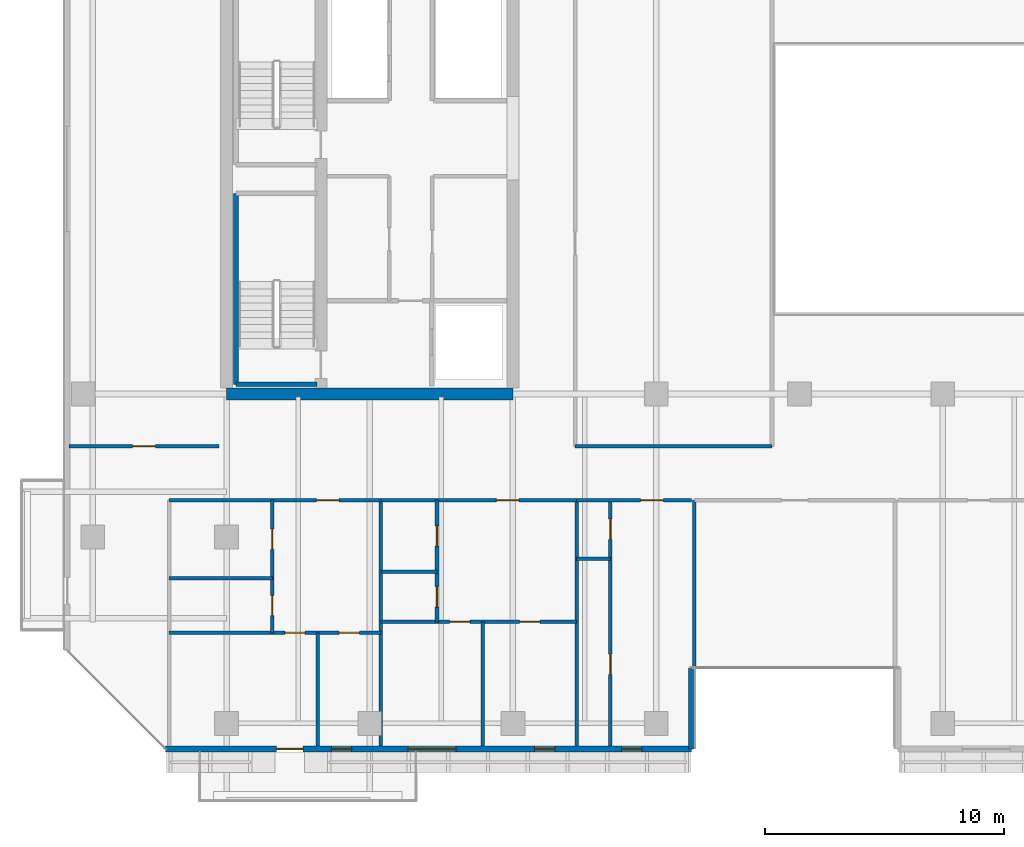
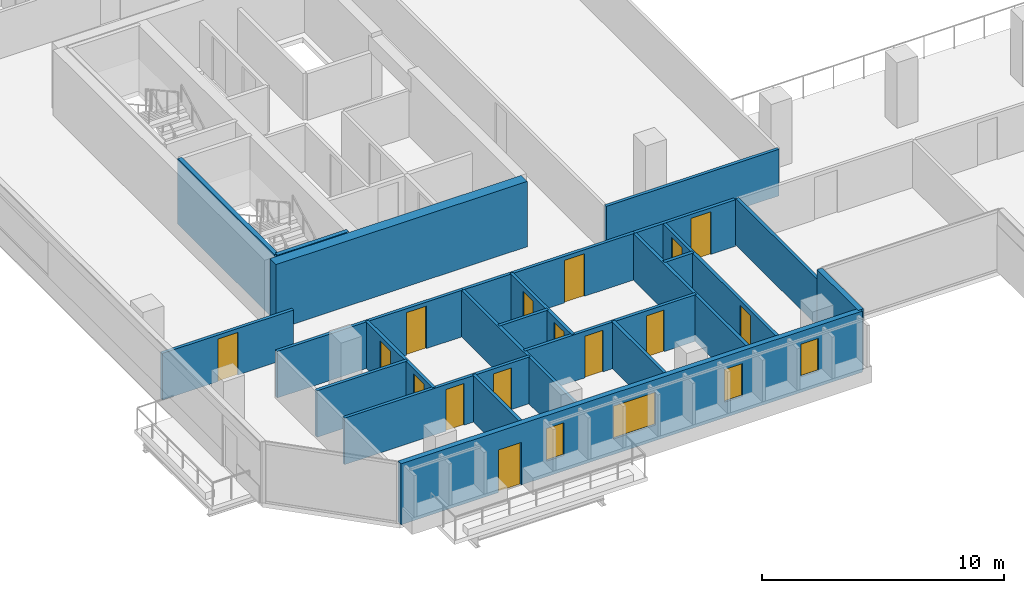
# One storey, part 21 of 33: 23 walls, 15 doors, 4 windows, 19 openings.
"""IFC4 building model written with IfcOpenShell, lengths in metres."""

from ifc_helpers import new_model, si_unit, direction, frame, frame_2d, origin, place, context, subcontext, project, spatial, rectangle, extrude, material, layer, layer_set, type_object, element, fill, save


model = new_model("IFC4")

# Units and contexts
model_context = context("Model", 3, precision=1e-05, world=origin(), true_north=direction((0.0, 1.0)))
body_context = subcontext(model_context, "Body", "Model", "MODEL_VIEW")
ifc_project = project(units=[si_unit("LENGTHUNIT", "METRE"), si_unit("AREAUNIT", "SQUARE_METRE"), si_unit("VOLUMEUNIT", "CUBIC_METRE"), si_unit("PLANEANGLEUNIT", "RADIAN"), si_unit("MASSUNIT", "GRAM", prefix="KILO")], contexts=[model_context])

# Site, building, storey
site_placement = place(None, origin())
site = spatial("IfcSite", under=ifc_project, at=site_placement, CompositionType="ELEMENT")
building_placement = place(site_placement, origin())
building = spatial("IfcBuilding", under=site, at=building_placement, Name="Tanjung Sevakor Pilgrim Tower", CompositionType="ELEMENT")
storey_placement = place(building_placement, frame((0.0, 0.0, 95.3701171875)))
storey = spatial("IfcBuildingStorey", under=building, at=storey_placement, Name="L26", CompositionType="ELEMENT", Elevation=95.3701171875)

# Walls
ifc_material_1 = material(Name="Concrete C60/75", Category="concrete")
ifc_layer_1 = layer(ifc_material_1, 0.5)
ifc_layer_set_1 = layer_set([ifc_layer_1], Name="WALL-CW-500")
wall_type_1 = type_object("IfcWallType", Name="WALL-CW-500", PredefinedType="SHEAR", material=ifc_layer_set_1)
wall_1_placement = place(storey_placement, frame((24.0, 24.60009765625, 0.0), z_axis=(0.0, 0.0, 1.0), x_axis=(1.0, 0.0, 0.0)))
element("IfcWall", 1, at=wall_1_placement, inside=storey, type_object=wall_type_1, Name="L26 W Core South Shear Wall", PredefinedType="SHEAR", context=body_context, shape_type="SweptSolid", body=[
    extrude(rectangle(XDim=12.0, YDim=0.5, at=frame_2d((6.0, 0.0))), origin(), (0.0, 0.0, 1.0), 3.2998046875),
])
ifc_material_2 = material(Name="Concrete C40/50", Category="concrete")
ifc_layer_2 = layer(ifc_material_2, 0.14990234375)
ifc_layer_set_2 = layer_set([ifc_layer_2], Name="WT-COMP-150")
wall_type_2 = type_object("IfcWallType", Name="WT-COMP-150", PredefinedType="SOLIDWALL", material=ifc_layer_set_2)
wall_2_placement = place(storey_placement, frame((38.60009765625, 22.39990234375, 0.0), z_axis=(0.0, 0.0, 1.0), x_axis=(1.0, 0.0, 0.0)))
element("IfcWall", 2, at=wall_2_placement, inside=storey, type_object=wall_type_2, Name="L26 Partition IW-L26-021", PredefinedType="SOLIDWALL", context=body_context, shape_type="SweptSolid", body=[
    extrude(rectangle(XDim=8.25, YDim=0.14990234375, at=frame_2d((4.125, 0.0))), origin(), (0.0, 0.0, 1.0), 2.35009765625),
])

# Wall, opening, door
wall_3_placement = place(storey_placement, frame((17.409912109375, 22.39990234375, 0.0), z_axis=(0.0, 0.0, 1.0), x_axis=(1.0, 0.0, 0.0)))
wall_3 = element("IfcWall", 3, at=wall_3_placement, inside=storey, type_object=wall_type_2, Name="L26 Partition IW-L26-029", PredefinedType="SOLIDWALL", context=body_context, shape_type="SweptSolid", body=[
    extrude(rectangle(XDim=6.27001953125, YDim=0.14990234375, at=frame_2d((3.135009765625, 0.0))), origin(), (0.0, 0.0, 1.0), 2.35009765625),
])
opening_1_placement = place(wall_3_placement, frame((2.659912109375, 0.0, 0.0)))
opening_1 = element("IfcOpeningElement", 4, at=opening_1_placement, cuts=wall_3, Name="Opening ID-FD2", PredefinedType="OPENING", context=body_context, shape_type="SweptSolid", body=[
    extrude(rectangle(XDim=0.949951171875, YDim=2.14990234375, at=frame_2d((0.47509765625, 1.074951171875))), frame((0.0, 0.0849609375, 0.0), z_axis=(0.0, -1.0, 0.0), x_axis=(1.0, 0.0, 0.0)), (0.0, 0.0, 1.0), 0.169921875),
])
ifc_material_3 = material(Name="Fire-Rated Timber", Category="wood")
door_type_1 = type_object("IfcDoorType", Name="DT-FIRE-950", OperationType="NOTDEFINED", PredefinedType="DOOR", material=ifc_material_3)
door_1_placement = place(opening_1_placement, origin())
door_1 = element("IfcDoor", 5, at=door_1_placement, inside=storey, type_object=door_type_1, Name="Study Room Entrance", OperationType="SINGLE_SWING_RIGHT", OverallHeight=2.14990234375, OverallWidth=0.949951171875, PredefinedType="DOOR", context=body_context, shape_type="SweptSolid", body=[
    extrude(rectangle(XDim=0.949951171875, YDim=2.14990234375, at=frame_2d((0.47509765625, 1.074951171875))), frame((0.0, 0.02490234375, 0.0), z_axis=(0.0, -1.0, 0.0), x_axis=(1.0, 0.0, 0.0)), (0.0, 0.0, 1.0), 0.050048828125),
])
fill(opening_1, door_1)

# Walls
for number, where, z_axis, x_axis, name in (
    (6, (43.60009765625, 9.85009765625, 0.0), (0.0, 0.0, 1.0), (0.0, 1.0, 0.0), "L26 Partition IW-L26-038"),
    (7, (30.468017578125, 9.85009765625, 0.0), (0.0, 0.0, 1.0), (0.0, 1.0, 0.0), "L26 Partition IW-L26-044"),
):
    element("IfcWall", number, at=place(storey_placement, frame(where, z_axis=z_axis, x_axis=x_axis)), inside=storey, type_object=wall_type_2, Name=name, PredefinedType="SOLIDWALL", context=body_context, shape_type="SweptSolid", body=[
        extrude(rectangle(XDim=10.2998046875, YDim=0.14990234375, at=frame_2d((5.14990234375, 0.0))), origin(), (0.0, 0.0, 1.0), 2.35009765625),
    ])

# Wall, opening, door
wall_4_placement = place(storey_placement, frame((21.60009765625, 20.14990234375, 0.0), z_axis=(0.0, 0.0, 1.0), x_axis=(1.0, 0.0, 0.0)))
wall_4 = element("IfcWall", 8, at=wall_4_placement, inside=storey, type_object=wall_type_2, Name="L26 Partition IW-L26-049", PredefinedType="SOLIDWALL", context=body_context, shape_type="SweptSolid", body=[
    extrude(rectangle(XDim=8.867919921875, YDim=0.14990234375, at=frame_2d((4.43408203125, 0.0))), origin(), (0.0, 0.0, 1.0), 2.35009765625),
])
opening_2_placement = place(wall_4_placement, frame((6.158935546875, 0.0, 0.0)))
opening_2 = element("IfcOpeningElement", 9, at=opening_2_placement, cuts=wall_4, Name="Opening ID-FD2", PredefinedType="OPENING", context=body_context, shape_type="SweptSolid", body=[
    extrude(rectangle(XDim=0.949951171875, YDim=2.14990234375, at=frame_2d((0.47509765625, 1.074951171875))), frame((0.0, 0.0849609375, 0.0), z_axis=(0.0, -1.0, 0.0), x_axis=(1.0, 0.0, 0.0)), (0.0, 0.0, 1.0), 0.169921875),
])
door_2_placement = place(opening_2_placement, origin())
door_2 = element("IfcDoor", 10, at=door_2_placement, inside=storey, type_object=door_type_1, Name="Suite Entrance", OperationType="SINGLE_SWING_RIGHT", OverallHeight=2.14990234375, OverallWidth=0.949951171875, PredefinedType="DOOR", context=body_context, shape_type="SweptSolid", body=[
    extrude(rectangle(XDim=0.949951171875, YDim=2.14990234375, at=frame_2d((0.47509765625, 1.074951171875))), frame((0.0, 0.02490234375, 0.0), z_axis=(0.0, -1.0, 0.0), x_axis=(1.0, 0.0, 0.0)), (0.0, 0.0, 1.0), 0.050048828125),
])
fill(opening_2, door_2)

# Wall
wall_5_placement = place(storey_placement, frame((38.667236328125, 9.85009765625, 0.0), z_axis=(0.0, 0.0, 1.0), x_axis=(0.0, 1.0, 0.0)))
element("IfcWall", 11, at=wall_5_placement, inside=storey, type_object=wall_type_2, Name="L26 Partition IW-L26-050", PredefinedType="SOLIDWALL", context=body_context, shape_type="SweptSolid", body=[
    extrude(rectangle(XDim=10.2998046875, YDim=0.14990234375, at=frame_2d((5.14990234375, 0.0))), origin(), (0.0, 0.0, 1.0), 2.35009765625),
])

# Wall, opening, door
wall_6_placement = place(storey_placement, frame((30.468017578125, 20.14990234375, 0.0), z_axis=(0.0, 0.0, 1.0), x_axis=(1.0, 0.0, 0.0)))
wall_6 = element("IfcWall", 12, at=wall_6_placement, inside=storey, type_object=wall_type_2, Name="L26 Partition IW-L26-055", PredefinedType="SOLIDWALL", context=body_context, shape_type="SweptSolid", body=[
    extrude(rectangle(XDim=8.19921875, YDim=0.14990234375, at=frame_2d((4.099609375, 0.0))), origin(), (0.0, 0.0, 1.0), 2.35009765625),
])
opening_3_placement = place(wall_6_placement, frame((4.839599609375, 0.0, 0.0)))
opening_3 = element("IfcOpeningElement", 13, at=opening_3_placement, cuts=wall_6, Name="Opening ID-FD2", PredefinedType="OPENING", context=body_context, shape_type="SweptSolid", body=[
    extrude(rectangle(XDim=0.949951171875, YDim=2.14990234375, at=frame_2d((0.47509765625, 1.074951171875))), frame((0.0, 0.0849609375, 0.0), z_axis=(0.0, -1.0, 0.0), x_axis=(1.0, 0.0, 0.0)), (0.0, 0.0, 1.0), 0.169921875),
])
door_3_placement = place(opening_3_placement, origin())
door_3 = element("IfcDoor", 14, at=door_3_placement, inside=storey, type_object=door_type_1, Name="Suite Entrance", OperationType="SINGLE_SWING_LEFT", OverallHeight=2.14990234375, OverallWidth=0.949951171875, PredefinedType="DOOR", context=body_context, shape_type="SweptSolid", body=[
    extrude(rectangle(XDim=0.949951171875, YDim=2.14990234375, at=frame_2d((0.47509765625, 1.074951171875))), frame((0.0, 0.02490234375, 0.0), z_axis=(0.0, -1.0, 0.0), x_axis=(1.0, 0.0, 0.0)), (0.0, 0.0, 1.0), 0.050048828125),
])
fill(opening_3, door_3)

wall_7_placement = place(storey_placement, frame((38.667236328125, 20.14990234375, 0.0), z_axis=(0.0, 0.0, 1.0), x_axis=(1.0, 0.0, 0.0)))
wall_7 = element("IfcWall", 15, at=wall_7_placement, inside=storey, type_object=wall_type_2, Name="L26 Partition IW-L26-058", PredefinedType="SOLIDWALL", context=body_context, shape_type="SweptSolid", body=[
    extrude(rectangle(XDim=4.812744140625, YDim=0.14990234375, at=frame_2d((2.40625, 0.0))), origin(), (0.0, 0.0, 1.0), 2.35009765625),
])
opening_4_placement = place(wall_7_placement, frame((2.677734375, 0.0, 0.0)))
opening_4 = element("IfcOpeningElement", 16, at=opening_4_placement, cuts=wall_7, Name="Opening ID-FD2", PredefinedType="OPENING", context=body_context, shape_type="SweptSolid", body=[
    extrude(rectangle(XDim=0.949951171875, YDim=2.14990234375, at=frame_2d((0.47509765625, 1.074951171875))), frame((0.0, 0.0849609375, 0.0), z_axis=(0.0, -1.0, 0.0), x_axis=(1.0, 0.0, 0.0)), (0.0, 0.0, 1.0), 0.169921875),
])
door_4_placement = place(opening_4_placement, origin())
door_4 = element("IfcDoor", 17, at=door_4_placement, inside=storey, type_object=door_type_1, Name="Hotel Guestroom Entrance", OperationType="SINGLE_SWING_RIGHT", OverallHeight=2.14990234375, OverallWidth=0.949951171875, PredefinedType="DOOR", context=body_context, shape_type="SweptSolid", body=[
    extrude(rectangle(XDim=0.949951171875, YDim=2.14990234375, at=frame_2d((0.47509765625, 1.074951171875))), frame((0.0, 0.02490234375, 0.0), z_axis=(0.0, -1.0, 0.0), x_axis=(1.0, 0.0, 0.0)), (0.0, 0.0, 1.0), 0.050048828125),
])
fill(opening_4, door_4)

# Wall, openings, door, windows
ifc_material_4 = material(Name="Precast concrete C45/55", Category="concrete")
ifc_layer_3 = layer(ifc_material_4, 0.25)
ifc_layer_set_3 = layer_set([ifc_layer_3], Name="WT-EW-STN3")
wall_type_3 = type_object("IfcWallType", Name="WT-EW-STN3", PredefinedType="SOLIDWALL", material=ifc_layer_set_3)
wall_8_placement = place(storey_placement, frame((21.451904296875, 9.72509765625, 0.0), z_axis=(0.0, 0.0, 1.0), x_axis=(1.0, 0.0, 0.0)))
wall_8 = element("IfcWall", 18, at=wall_8_placement, inside=storey, type_object=wall_type_3, Name="L26 MAIN Exterior Wall 1", PredefinedType="SOLIDWALL", context=body_context, shape_type="SweptSolid", body=[
    extrude(rectangle(XDim=22.023193359375, YDim=0.25, at=frame_2d((11.01171875, 0.0))), origin(), (0.0, 0.0, 1.0), 3.080078125),
])
opening_5_placement = place(wall_8_placement, frame((4.648193359375, 0.0, 0.0)))
opening_5 = element("IfcOpeningElement", 19, at=opening_5_placement, cuts=wall_8, Name="Opening ED-BAL-1100", PredefinedType="OPENING", context=body_context, shape_type="SweptSolid", body=[
    extrude(rectangle(XDim=1.10009765625, YDim=2.14990234375, at=frame_2d((0.550048828125, 1.074951171875))), frame((0.0, 0.135009765625, 0.0), z_axis=(0.0, -1.0, 0.0), x_axis=(1.0, 0.0, 0.0)), (0.0, 0.0, 1.0), 0.27001953125),
])
opening_6_placement = place(wall_8_placement, frame((6.93701171875, 0.0, 0.780029296875)))
opening_6 = element("IfcOpeningElement", 20, at=opening_6_placement, cuts=wall_8, Name="Opening WN-SLM", PredefinedType="OPENING", context=body_context, shape_type="SweptSolid", body=[
    extrude(rectangle(XDim=0.85009765625, YDim=1.64990234375, at=frame_2d((0.425048828125, 0.824951171875))), frame((0.0, 0.135009765625, 0.0), z_axis=(0.0, -1.0, 0.0), x_axis=(1.0, 0.0, 0.0)), (0.0, 0.0, 1.0), 0.27001953125),
])
opening_7_placement = place(wall_8_placement, frame((10.157958984375, 0.0, 0.780029296875)))
opening_7 = element("IfcOpeningElement", 21, at=opening_7_placement, cuts=wall_8, Name="Opening WN-Z2-1660", PredefinedType="OPENING", context=body_context, shape_type="SweptSolid", body=[
    extrude(rectangle(XDim=2.0, YDim=1.659912109375, at=frame_2d((1.0, 0.830078125))), frame((0.0, 0.135009765625, 0.0), z_axis=(0.0, -1.0, 0.0), x_axis=(1.0, 0.0, 0.0)), (0.0, 0.0, 1.0), 0.27001953125),
])
opening_8_placement = place(wall_8_placement, frame((15.45263671875, 0.0, 0.780029296875)))
opening_8 = element("IfcOpeningElement", 22, at=opening_8_placement, cuts=wall_8, Name="Opening WN-SLM", PredefinedType="OPENING", context=body_context, shape_type="SweptSolid", body=[
    extrude(rectangle(XDim=0.85009765625, YDim=1.64990234375, at=frame_2d((0.425048828125, 0.824951171875))), frame((0.0, 0.135009765625, 0.0), z_axis=(0.0, -1.0, 0.0), x_axis=(1.0, 0.0, 0.0)), (0.0, 0.0, 1.0), 0.27001953125),
])
opening_9_placement = place(wall_8_placement, frame((19.09326171875, 0.0, 0.780029296875)))
opening_9 = element("IfcOpeningElement", 23, at=opening_9_placement, cuts=wall_8, Name="Opening WN-SLM", PredefinedType="OPENING", context=body_context, shape_type="SweptSolid", body=[
    extrude(rectangle(XDim=0.85009765625, YDim=1.64990234375, at=frame_2d((0.425048828125, 0.824951171875))), frame((0.0, 0.135009765625, 0.0), z_axis=(0.0, -1.0, 0.0), x_axis=(1.0, 0.0, 0.0)), (0.0, 0.0, 1.0), 0.27001953125),
])
ifc_material_5 = material(Name="Anodised Aluminium and Laminated Glass", Category="aluminium")
door_type_2 = type_object("IfcDoorType", Name="DTYP-ED-BAL-1100", OperationType="NOTDEFINED", PredefinedType="DOOR", material=ifc_material_5)
door_5_placement = place(opening_5_placement, frame((1.10009765625, 0.0, 0.0), z_axis=(0.0, 0.0, 1.0), x_axis=(-1.0, 0.0, 0.0)))
door_5 = element("IfcDoor", 24, at=door_5_placement, inside=storey, type_object=door_type_2, Name="L26 Balcony Door MAIN-S1", OperationType="SINGLE_SWING_RIGHT", OverallHeight=2.14990234375, OverallWidth=1.10009765625, PredefinedType="DOOR", context=body_context, shape_type="SweptSolid", body=[
    extrude(rectangle(XDim=1.10009765625, YDim=2.14990234375, at=frame_2d((0.550048828125, 1.074951171875))), frame((0.0, 0.02490234375, 0.0), z_axis=(0.0, -1.0, 0.0), x_axis=(1.0, 0.0, 0.0)), (0.0, 0.0, 1.0), 0.050048828125),
])
fill(opening_5, door_5)
ifc_material_6 = material(Name="Thermally Broken Aluminium and Low-E Glass", Category="aluminium")
window_type_1 = type_object("IfcWindowType", Name="WTYP-WN-SLM", PartitioningType="SINGLE_PANEL", PredefinedType="WINDOW", material=ifc_material_6)
window_1_placement = place(opening_6_placement, origin())
window_1 = element("IfcWindow", 25, at=window_1_placement, inside=storey, type_object=window_type_1, Name="L26 Facade Window 01", OverallHeight=1.64990234375, OverallWidth=0.85009765625, PartitioningType="SINGLE_PANEL", PredefinedType="WINDOW", context=body_context, shape_type="SweptSolid", body=[
    extrude(rectangle(XDim=0.85009765625, YDim=1.64990234375, at=frame_2d((0.425048828125, 0.824951171875))), frame((0.0, 0.030029296875, 0.0), z_axis=(0.0, -1.0, 0.0), x_axis=(1.0, 0.0, 0.0)), (0.0, 0.0, 1.0), 0.06005859375),
])
fill(opening_6, window_1)
window_2_placement = place(opening_8_placement, origin())
window_2 = element("IfcWindow", 26, at=window_2_placement, inside=storey, type_object=window_type_1, Name="L26 Facade Window 03", OverallHeight=1.64990234375, OverallWidth=0.85009765625, PartitioningType="SINGLE_PANEL", PredefinedType="WINDOW", context=body_context, shape_type="SweptSolid", body=[
    extrude(rectangle(XDim=0.85009765625, YDim=1.64990234375, at=frame_2d((0.425048828125, 0.824951171875))), frame((0.0, 0.030029296875, 0.0), z_axis=(0.0, -1.0, 0.0), x_axis=(1.0, 0.0, 0.0)), (0.0, 0.0, 1.0), 0.06005859375),
])
fill(opening_8, window_2)
window_3_placement = place(opening_9_placement, origin())
window_3 = element("IfcWindow", 27, at=window_3_placement, inside=storey, type_object=window_type_1, Name="L26 Facade Window 04", OverallHeight=1.64990234375, OverallWidth=0.85009765625, PartitioningType="SINGLE_PANEL", PredefinedType="WINDOW", context=body_context, shape_type="SweptSolid", body=[
    extrude(rectangle(XDim=0.85009765625, YDim=1.64990234375, at=frame_2d((0.425048828125, 0.824951171875))), frame((0.0, 0.030029296875, 0.0), z_axis=(0.0, -1.0, 0.0), x_axis=(1.0, 0.0, 0.0)), (0.0, 0.0, 1.0), 0.06005859375),
])
fill(opening_9, window_3)
ifc_material_7 = material(Name="Thermally Broken Aluminium and Low-E Glass", Category="aluminium")
window_type_2 = type_object("IfcWindowType", Name="WTYP-WN-Z2-1660", PartitioningType="DOUBLE_PANEL_VERTICAL", PredefinedType="WINDOW", material=ifc_material_7)
window_4_placement = place(opening_7_placement, origin())
window_4 = element("IfcWindow", 28, at=window_4_placement, inside=storey, type_object=window_type_2, Name="L26 Facade Window 02", OverallHeight=1.659912109375, OverallWidth=2.0, PartitioningType="SINGLE_PANEL", PredefinedType="WINDOW", context=body_context, shape_type="SweptSolid", body=[
    extrude(rectangle(XDim=2.0, YDim=1.659912109375, at=frame_2d((1.0, 0.830078125))), frame((0.0, 0.030029296875, 0.0), z_axis=(0.0, -1.0, 0.0), x_axis=(1.0, 0.0, 0.0)), (0.0, 0.0, 1.0), 0.06005859375),
])
fill(opening_7, window_4)

# Walls
wall_9_placement = place(storey_placement, frame((43.47509765625, 9.72509765625, 0.0), z_axis=(0.0, 0.0, 1.0), x_axis=(0.0, 1.0, 0.0)))
element("IfcWall", 29, at=wall_9_placement, inside=storey, type_object=wall_type_3, Name="L26 MAIN Exterior Wall 2", PredefinedType="SOLIDWALL", context=body_context, shape_type="SweptSolid", body=[
    extrude(rectangle(XDim=3.39990234375, YDim=0.25, at=frame_2d((1.699951171875, 0.0))), origin(), (0.0, 0.0, 1.0), 3.080078125),
])
ifc_material_8 = material(Name="Concrete C40/50", Category="concrete")
ifc_layer_4 = layer(ifc_material_8, 0.199951171875)
ifc_layer_set_4 = layer_set([ifc_layer_4], Name="WT-FIRE-200")
wall_type_4 = type_object("IfcWallType", Name="WT-FIRE-200", PredefinedType="SOLIDWALL", material=ifc_layer_set_4)
wall_10_placement = place(storey_placement, frame((24.39990234375, 25.0, 0.0), z_axis=(0.0, 0.0, 1.0), x_axis=(1.0, 0.0, 0.0)))
element("IfcWall", 30, at=wall_10_placement, inside=storey, type_object=wall_type_4, Name="L26 TS-W1 Shaft Wall 1", PredefinedType="SOLIDWALL", context=body_context, shape_type="SweptSolid", body=[
    extrude(rectangle(XDim=3.400146484375, YDim=0.199951171875, at=frame_2d((1.7001953125, 0.0))), origin(), (0.0, 0.0, 1.0), 3.2998046875),
])
wall_11_placement = place(storey_placement, frame((24.39990234375, 33.0, 0.0), z_axis=(0.0, 0.0, 1.0), x_axis=(0.0, -1.0, 0.0)))
element("IfcWall", 31, at=wall_11_placement, inside=storey, type_object=wall_type_4, Name="L26 TS-W1 Shaft Wall 3", PredefinedType="SOLIDWALL", context=body_context, shape_type="SweptSolid", body=[
    extrude(rectangle(XDim=8.0, YDim=0.199951171875, at=frame_2d((4.0, 0.0))), origin(), (0.0, 0.0, 1.0), 3.2998046875),
])
ifc_material_9 = material(Name="Gypsum Board Partition", Category="gypsum board")
ifc_layer_5 = layer(ifc_material_9, 0.14990234375)
ifc_layer_set_5 = layer_set([ifc_layer_5], Name="WT-PART-150")
wall_type_5 = type_object("IfcWallType", Name="WT-PART-150", PredefinedType="PARTITIONING", material=ifc_layer_set_5)
wall_12_placement = place(storey_placement, frame((21.60009765625, 16.871337890625, 0.0), z_axis=(0.0, 0.0, 1.0), x_axis=(1.0, 0.0, 0.0)))
element("IfcWall", 32, at=wall_12_placement, inside=storey, type_object=wall_type_5, Name="L26 Partition IW-L26-045", PredefinedType="PARTITIONING", context=body_context, shape_type="SweptSolid", body=[
    extrude(rectangle(XDim=4.31982421875, YDim=0.14990234375, at=frame_2d((2.159912109375, 0.0))), origin(), (0.0, 0.0, 1.0), 2.35009765625),
])

# Wall, openings, doors
wall_13_placement = place(storey_placement, frame((25.919921875, 14.5927734375, 0.0), z_axis=(0.0, 0.0, 1.0), x_axis=(0.0, 1.0, 0.0)))
wall_13 = element("IfcWall", 33, at=wall_13_placement, inside=storey, type_object=wall_type_5, Name="L26 Partition IW-L26-046", PredefinedType="PARTITIONING", context=body_context, shape_type="SweptSolid", body=[
    extrude(rectangle(XDim=5.55712890625, YDim=0.14990234375, at=frame_2d((2.778564453125, 0.0))), origin(), (0.0, 0.0, 1.0), 2.35009765625),
])
opening_10_placement = place(wall_13_placement, frame((0.71435546875, 0.0, 0.0)))
opening_10 = element("IfcOpeningElement", 34, at=opening_10_placement, cuts=wall_13, Name="Opening ID-WC1", PredefinedType="OPENING", context=body_context, shape_type="SweptSolid", body=[
    extrude(rectangle(XDim=0.85009765625, YDim=2.10009765625, at=frame_2d((0.425048828125, 1.050048828125))), frame((0.0, 0.0849609375, 0.0), z_axis=(0.0, -1.0, 0.0), x_axis=(1.0, 0.0, 0.0)), (0.0, 0.0, 1.0), 0.169921875),
])
opening_11_placement = place(wall_13_placement, frame((3.492919921875, 0.0, 0.0)))
opening_11 = element("IfcOpeningElement", 35, at=opening_11_placement, cuts=wall_13, Name="Opening ID-WC1", PredefinedType="OPENING", context=body_context, shape_type="SweptSolid", body=[
    extrude(rectangle(XDim=0.85009765625, YDim=2.10009765625, at=frame_2d((0.425048828125, 1.050048828125))), frame((0.0, 0.0849609375, 0.0), z_axis=(0.0, -1.0, 0.0), x_axis=(1.0, 0.0, 0.0)), (0.0, 0.0, 1.0), 0.169921875),
])
ifc_material_10 = material(Name="Moisture-Resistant Timber", Category="wood")
door_type_3 = type_object("IfcDoorType", Name="DT-INT-850", OperationType="NOTDEFINED", PredefinedType="DOOR", material=ifc_material_10)
door_6_placement = place(opening_10_placement, origin())
door_6 = element("IfcDoor", 36, at=door_6_placement, inside=storey, type_object=door_type_3, Name="Suite Bathroom Door", OperationType="SINGLE_SWING_RIGHT", OverallHeight=2.10009765625, OverallWidth=0.85009765625, PredefinedType="DOOR", context=body_context, shape_type="SweptSolid", body=[
    extrude(rectangle(XDim=0.85009765625, YDim=2.10009765625, at=frame_2d((0.425048828125, 1.050048828125))), frame((0.0, 0.02490234375, 0.0), z_axis=(0.0, -1.0, 0.0), x_axis=(1.0, 0.0, 0.0)), (0.0, 0.0, 1.0), 0.050048828125),
])
fill(opening_10, door_6)
door_7_placement = place(opening_11_placement, origin())
door_7 = element("IfcDoor", 37, at=door_7_placement, inside=storey, type_object=door_type_3, Name="Suite Kitchenette Door", OperationType="SINGLE_SWING_LEFT", OverallHeight=2.10009765625, OverallWidth=0.85009765625, PredefinedType="DOOR", context=body_context, shape_type="SweptSolid", body=[
    extrude(rectangle(XDim=0.85009765625, YDim=2.10009765625, at=frame_2d((0.425048828125, 1.050048828125))), frame((0.0, 0.02490234375, 0.0), z_axis=(0.0, -1.0, 0.0), x_axis=(1.0, 0.0, 0.0)), (0.0, 0.0, 1.0), 0.050048828125),
])
fill(opening_11, door_7)

# Wall
wall_14_placement = place(storey_placement, frame((27.820068359375, 9.85009765625, 0.0), z_axis=(0.0, 0.0, 1.0), x_axis=(0.0, 1.0, 0.0)))
element("IfcWall", 38, at=wall_14_placement, inside=storey, type_object=wall_type_5, Name="L26 Partition IW-L26-047", PredefinedType="PARTITIONING", context=body_context, shape_type="SweptSolid", body=[
    extrude(rectangle(XDim=4.74267578125, YDim=0.14990234375, at=frame_2d((2.371337890625, 0.0))), origin(), (0.0, 0.0, 1.0), 2.35009765625),
])

# Wall, openings, doors
wall_15_placement = place(storey_placement, frame((21.60009765625, 14.5927734375, 0.0), z_axis=(0.0, 0.0, 1.0), x_axis=(1.0, 0.0, 0.0)))
wall_15 = element("IfcWall", 39, at=wall_15_placement, inside=storey, type_object=wall_type_5, Name="L26 Partition IW-L26-048", PredefinedType="PARTITIONING", context=body_context, shape_type="SweptSolid", body=[
    extrude(rectangle(XDim=8.867919921875, YDim=0.14990234375, at=frame_2d((4.43408203125, 0.0))), origin(), (0.0, 0.0, 1.0), 2.35009765625),
])
opening_12_placement = place(wall_15_placement, frame((4.844970703125, 0.0, 0.0)))
opening_12 = element("IfcOpeningElement", 40, at=opening_12_placement, cuts=wall_15, Name="Opening ID-WC1", PredefinedType="OPENING", context=body_context, shape_type="SweptSolid", body=[
    extrude(rectangle(XDim=0.85009765625, YDim=2.10009765625, at=frame_2d((0.425048828125, 1.050048828125))), frame((0.0, 0.0849609375, 0.0), z_axis=(0.0, -1.0, 0.0), x_axis=(1.0, 0.0, 0.0)), (0.0, 0.0, 1.0), 0.169921875),
])
opening_13_placement = place(wall_15_placement, frame((7.118896484375, 0.0, 0.0)))
opening_13 = element("IfcOpeningElement", 41, at=opening_13_placement, cuts=wall_15, Name="Opening ID-WC1", PredefinedType="OPENING", context=body_context, shape_type="SweptSolid", body=[
    extrude(rectangle(XDim=0.85009765625, YDim=2.10009765625, at=frame_2d((0.425048828125, 1.050048828125))), frame((0.0, 0.0849609375, 0.0), z_axis=(0.0, -1.0, 0.0), x_axis=(1.0, 0.0, 0.0)), (0.0, 0.0, 1.0), 0.169921875),
])
door_8_placement = place(opening_12_placement, origin())
door_8 = element("IfcDoor", 42, at=door_8_placement, inside=storey, type_object=door_type_3, Name="Suite Bedroom 1 Door", OperationType="SINGLE_SWING_RIGHT", OverallHeight=2.10009765625, OverallWidth=0.85009765625, PredefinedType="DOOR", context=body_context, shape_type="SweptSolid", body=[
    extrude(rectangle(XDim=0.85009765625, YDim=2.10009765625, at=frame_2d((0.425048828125, 1.050048828125))), frame((0.0, 0.02490234375, 0.0), z_axis=(0.0, -1.0, 0.0), x_axis=(1.0, 0.0, 0.0)), (0.0, 0.0, 1.0), 0.050048828125),
])
fill(opening_12, door_8)
door_9_placement = place(opening_13_placement, origin())
door_9 = element("IfcDoor", 43, at=door_9_placement, inside=storey, type_object=door_type_3, Name="Suite Bedroom 2 Door", OperationType="SINGLE_SWING_LEFT", OverallHeight=2.10009765625, OverallWidth=0.85009765625, PredefinedType="DOOR", context=body_context, shape_type="SweptSolid", body=[
    extrude(rectangle(XDim=0.85009765625, YDim=2.10009765625, at=frame_2d((0.425048828125, 1.050048828125))), frame((0.0, 0.02490234375, 0.0), z_axis=(0.0, -1.0, 0.0), x_axis=(1.0, 0.0, 0.0)), (0.0, 0.0, 1.0), 0.050048828125),
])
fill(opening_13, door_9)

# Wall
wall_16_placement = place(storey_placement, frame((30.468017578125, 17.14111328125, 0.0), z_axis=(0.0, 0.0, 1.0), x_axis=(1.0, 0.0, 0.0)))
element("IfcWall", 44, at=wall_16_placement, inside=storey, type_object=wall_type_5, Name="L26 Partition IW-L26-051", PredefinedType="PARTITIONING", context=body_context, shape_type="SweptSolid", body=[
    extrude(rectangle(XDim=2.349853515625, YDim=0.14990234375, at=frame_2d((1.1748046875, 0.0))), origin(), (0.0, 0.0, 1.0), 2.35009765625),
])

# Wall, openings, doors
wall_17_placement = place(storey_placement, frame((32.81787109375, 15.050048828125, 0.0), z_axis=(0.0, 0.0, 1.0), x_axis=(0.0, 1.0, 0.0)))
wall_17 = element("IfcWall", 45, at=wall_17_placement, inside=storey, type_object=wall_type_5, Name="L26 Partition IW-L26-052", PredefinedType="PARTITIONING", context=body_context, shape_type="SweptSolid", body=[
    extrude(rectangle(XDim=5.099853515625, YDim=0.14990234375, at=frame_2d((2.5498046875, 0.0))), origin(), (0.0, 0.0, 1.0), 2.35009765625),
])
opening_14_placement = place(wall_17_placement, frame((0.62060546875, 0.0, 0.0)))
opening_14 = element("IfcOpeningElement", 46, at=opening_14_placement, cuts=wall_17, Name="Opening ID-WC1", PredefinedType="OPENING", context=body_context, shape_type="SweptSolid", body=[
    extrude(rectangle(XDim=0.85009765625, YDim=2.10009765625, at=frame_2d((0.425048828125, 1.050048828125))), frame((0.0, 0.0849609375, 0.0), z_axis=(0.0, -1.0, 0.0), x_axis=(1.0, 0.0, 0.0)), (0.0, 0.0, 1.0), 0.169921875),
])
opening_15_placement = place(wall_17_placement, frame((3.17041015625, 0.0, 0.0)))
opening_15 = element("IfcOpeningElement", 47, at=opening_15_placement, cuts=wall_17, Name="Opening ID-WC1", PredefinedType="OPENING", context=body_context, shape_type="SweptSolid", body=[
    extrude(rectangle(XDim=0.85009765625, YDim=2.10009765625, at=frame_2d((0.425048828125, 1.050048828125))), frame((0.0, 0.0849609375, 0.0), z_axis=(0.0, -1.0, 0.0), x_axis=(1.0, 0.0, 0.0)), (0.0, 0.0, 1.0), 0.169921875),
])
door_10_placement = place(opening_14_placement, origin())
door_10 = element("IfcDoor", 48, at=door_10_placement, inside=storey, type_object=door_type_3, Name="Suite Bathroom Door", OperationType="SINGLE_SWING_LEFT", OverallHeight=2.10009765625, OverallWidth=0.85009765625, PredefinedType="DOOR", context=body_context, shape_type="SweptSolid", body=[
    extrude(rectangle(XDim=0.85009765625, YDim=2.10009765625, at=frame_2d((0.425048828125, 1.050048828125))), frame((0.0, 0.02490234375, 0.0), z_axis=(0.0, -1.0, 0.0), x_axis=(1.0, 0.0, 0.0)), (0.0, 0.0, 1.0), 0.050048828125),
])
fill(opening_14, door_10)
door_11_placement = place(opening_15_placement, origin())
door_11 = element("IfcDoor", 49, at=door_11_placement, inside=storey, type_object=door_type_3, Name="Suite Kitchenette Door", OperationType="SINGLE_SWING_RIGHT", OverallHeight=2.10009765625, OverallWidth=0.85009765625, PredefinedType="DOOR", context=body_context, shape_type="SweptSolid", body=[
    extrude(rectangle(XDim=0.85009765625, YDim=2.10009765625, at=frame_2d((0.425048828125, 1.050048828125))), frame((0.0, 0.02490234375, 0.0), z_axis=(0.0, -1.0, 0.0), x_axis=(1.0, 0.0, 0.0)), (0.0, 0.0, 1.0), 0.050048828125),
])
fill(opening_15, door_11)

# Wall
wall_18_placement = place(storey_placement, frame((34.731689453125, 9.85009765625, 0.0), z_axis=(0.0, 0.0, 1.0), x_axis=(0.0, 1.0, 0.0)))
element("IfcWall", 50, at=wall_18_placement, inside=storey, type_object=wall_type_5, Name="L26 Partition IW-L26-053", PredefinedType="PARTITIONING", context=body_context, shape_type="SweptSolid", body=[
    extrude(rectangle(XDim=5.199951171875, YDim=0.14990234375, at=frame_2d((2.60009765625, 0.0))), origin(), (0.0, 0.0, 1.0), 2.35009765625),
])

# Wall, openings, doors
wall_19_placement = place(storey_placement, frame((30.468017578125, 15.050048828125, 0.0), z_axis=(0.0, 0.0, 1.0), x_axis=(1.0, 0.0, 0.0)))
wall_19 = element("IfcWall", 51, at=wall_19_placement, inside=storey, type_object=wall_type_5, Name="L26 Partition IW-L26-054", PredefinedType="PARTITIONING", context=body_context, shape_type="SweptSolid", body=[
    extrude(rectangle(XDim=8.19921875, YDim=0.14990234375, at=frame_2d((4.099609375, 0.0))), origin(), (0.0, 0.0, 1.0), 2.35009765625),
])
opening_16_placement = place(wall_19_placement, frame((2.8818359375, 0.0, 0.0)))
opening_16 = element("IfcOpeningElement", 52, at=opening_16_placement, cuts=wall_19, Name="Opening ID-WC1", PredefinedType="OPENING", context=body_context, shape_type="SweptSolid", body=[
    extrude(rectangle(XDim=0.85009765625, YDim=2.10009765625, at=frame_2d((0.425048828125, 1.050048828125))), frame((0.0, 0.0849609375, 0.0), z_axis=(0.0, -1.0, 0.0), x_axis=(1.0, 0.0, 0.0)), (0.0, 0.0, 1.0), 0.169921875),
])
opening_17_placement = place(wall_19_placement, frame((5.806396484375, 0.0, 0.0)))
opening_17 = element("IfcOpeningElement", 53, at=opening_17_placement, cuts=wall_19, Name="Opening ID-WC1", PredefinedType="OPENING", context=body_context, shape_type="SweptSolid", body=[
    extrude(rectangle(XDim=0.85009765625, YDim=2.10009765625, at=frame_2d((0.425048828125, 1.050048828125))), frame((0.0, 0.0849609375, 0.0), z_axis=(0.0, -1.0, 0.0), x_axis=(1.0, 0.0, 0.0)), (0.0, 0.0, 1.0), 0.169921875),
])
door_12_placement = place(opening_16_placement, origin())
door_12 = element("IfcDoor", 54, at=door_12_placement, inside=storey, type_object=door_type_3, Name="Suite Bedroom 1 Door", OperationType="SINGLE_SWING_LEFT", OverallHeight=2.10009765625, OverallWidth=0.85009765625, PredefinedType="DOOR", context=body_context, shape_type="SweptSolid", body=[
    extrude(rectangle(XDim=0.85009765625, YDim=2.10009765625, at=frame_2d((0.425048828125, 1.050048828125))), frame((0.0, 0.02490234375, 0.0), z_axis=(0.0, -1.0, 0.0), x_axis=(1.0, 0.0, 0.0)), (0.0, 0.0, 1.0), 0.050048828125),
])
fill(opening_16, door_12)
door_13_placement = place(opening_17_placement, origin())
door_13 = element("IfcDoor", 55, at=door_13_placement, inside=storey, type_object=door_type_3, Name="Suite Bedroom 2 Door", OperationType="SINGLE_SWING_RIGHT", OverallHeight=2.10009765625, OverallWidth=0.85009765625, PredefinedType="DOOR", context=body_context, shape_type="SweptSolid", body=[
    extrude(rectangle(XDim=0.85009765625, YDim=2.10009765625, at=frame_2d((0.425048828125, 1.050048828125))), frame((0.0, 0.02490234375, 0.0), z_axis=(0.0, -1.0, 0.0), x_axis=(1.0, 0.0, 0.0)), (0.0, 0.0, 1.0), 0.050048828125),
])
fill(opening_17, door_13)

# Wall
wall_20_placement = place(storey_placement, frame((38.667236328125, 17.699951171875, 0.0), z_axis=(0.0, 0.0, 1.0), x_axis=(1.0, 0.0, 0.0)))
element("IfcWall", 56, at=wall_20_placement, inside=storey, type_object=wall_type_5, Name="L26 Partition IW-L26-056", PredefinedType="PARTITIONING", context=body_context, shape_type="SweptSolid", body=[
    extrude(rectangle(XDim=1.412841796875, YDim=0.14990234375, at=frame_2d((0.70654296875, 0.0))), origin(), (0.0, 0.0, 1.0), 2.35009765625),
])

# Wall, openings, doors
wall_21_placement = place(storey_placement, frame((40.080078125, 9.85009765625, 0.0), z_axis=(0.0, 0.0, 1.0), x_axis=(0.0, 1.0, 0.0)))
wall_21 = element("IfcWall", 57, at=wall_21_placement, inside=storey, type_object=wall_type_5, Name="L26 Partition IW-L26-057", PredefinedType="PARTITIONING", context=body_context, shape_type="SweptSolid", body=[
    extrude(rectangle(XDim=10.2998046875, YDim=0.14990234375, at=frame_2d((5.14990234375, 0.0))), origin(), (0.0, 0.0, 1.0), 2.35009765625),
])
opening_18_placement = place(wall_21_placement, frame((3.0, 0.0, 0.0)))
opening_18 = element("IfcOpeningElement", 58, at=opening_18_placement, cuts=wall_21, Name="Opening ID-WC1", PredefinedType="OPENING", context=body_context, shape_type="SweptSolid", body=[
    extrude(rectangle(XDim=0.85009765625, YDim=2.10009765625, at=frame_2d((0.425048828125, 1.050048828125))), frame((0.0, 0.0849609375, 0.0), z_axis=(0.0, -1.0, 0.0), x_axis=(1.0, 0.0, 0.0)), (0.0, 0.0, 1.0), 0.169921875),
])
opening_19_placement = place(wall_21_placement, frame((8.64990234375, 0.0, 0.0)))
opening_19 = element("IfcOpeningElement", 59, at=opening_19_placement, cuts=wall_21, Name="Opening ID-WC1", PredefinedType="OPENING", context=body_context, shape_type="SweptSolid", body=[
    extrude(rectangle(XDim=0.85009765625, YDim=2.10009765625, at=frame_2d((0.425048828125, 1.050048828125))), frame((0.0, 0.0849609375, 0.0), z_axis=(0.0, -1.0, 0.0), x_axis=(1.0, 0.0, 0.0)), (0.0, 0.0, 1.0), 0.169921875),
])
door_14_placement = place(opening_18_placement, origin())
door_14 = element("IfcDoor", 60, at=door_14_placement, inside=storey, type_object=door_type_3, Name="Study Nook Door", OperationType="SINGLE_SWING_RIGHT", OverallHeight=2.10009765625, OverallWidth=0.85009765625, PredefinedType="DOOR", context=body_context, shape_type="SweptSolid", body=[
    extrude(rectangle(XDim=0.85009765625, YDim=2.10009765625, at=frame_2d((0.425048828125, 1.050048828125))), frame((0.0, 0.02490234375, 0.0), z_axis=(0.0, -1.0, 0.0), x_axis=(1.0, 0.0, 0.0)), (0.0, 0.0, 1.0), 0.050048828125),
])
fill(opening_18, door_14)
door_15_placement = place(opening_19_placement, origin())
door_15 = element("IfcDoor", 61, at=door_15_placement, inside=storey, type_object=door_type_3, Name="Bathroom Door", OperationType="SINGLE_SWING_LEFT", OverallHeight=2.10009765625, OverallWidth=0.85009765625, PredefinedType="DOOR", context=body_context, shape_type="SweptSolid", body=[
    extrude(rectangle(XDim=0.85009765625, YDim=2.10009765625, at=frame_2d((0.425048828125, 1.050048828125))), frame((0.0, 0.02490234375, 0.0), z_axis=(0.0, -1.0, 0.0), x_axis=(1.0, 0.0, 0.0)), (0.0, 0.0, 1.0), 0.050048828125),
])
fill(opening_19, door_15)

save(model, "model.ifc")
